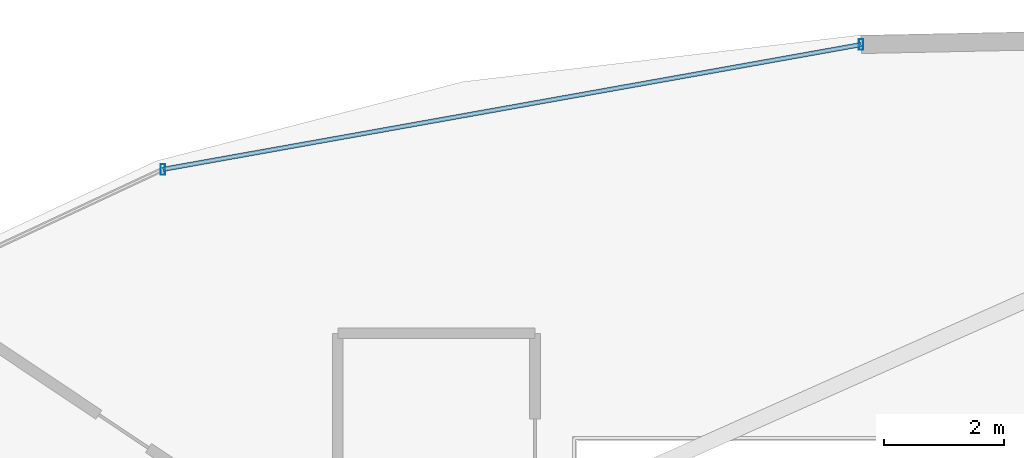
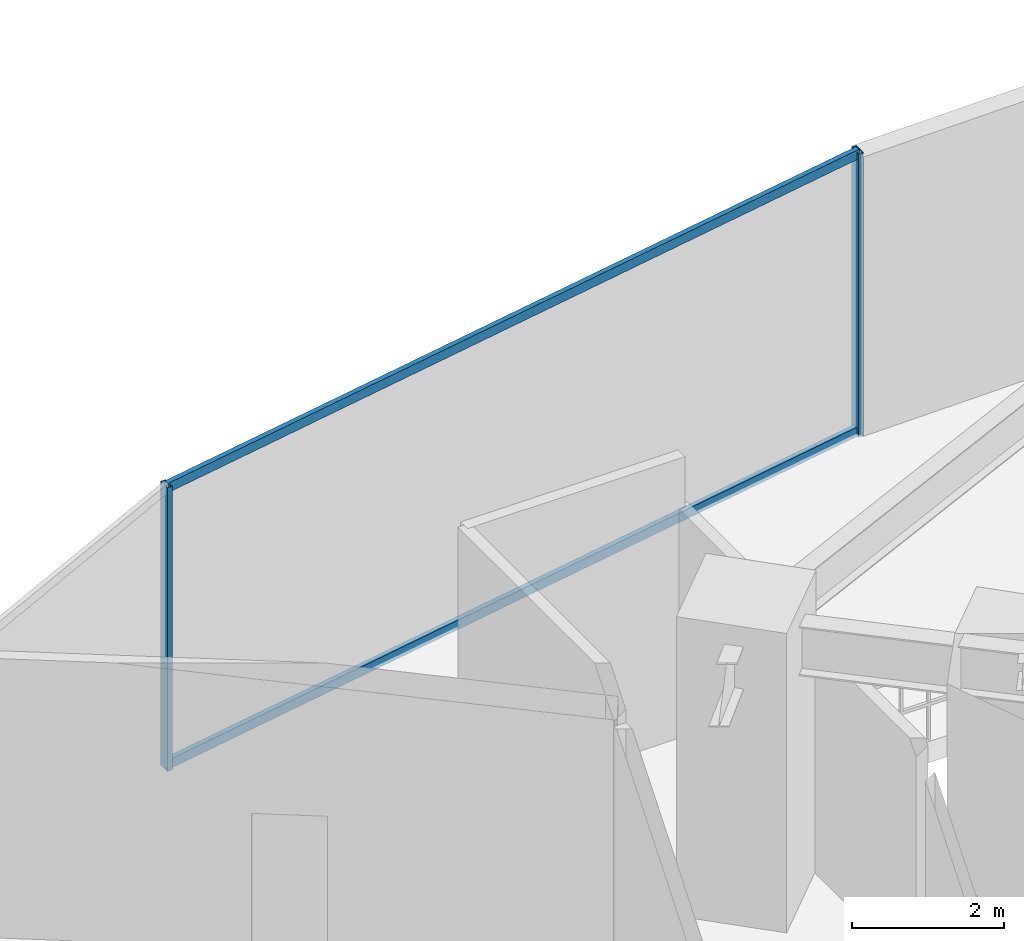
# One storey, part 18 of 36: 4 members, 1 element without a shape of its own.
"""IFC4 building model written with IfcOpenShell, lengths in metres."""

from ifc_helpers import new_model, si_unit, direction, frame, origin, origin_2d, place, context, subcontext, project, spatial, hollow_rectangle, extrude, material, material_profile, profile_set, type_object, element, aggregate, save


model = new_model("IFC4")

# Units and contexts
model_context = context("Model", 3, precision=1e-05, world=origin(), true_north=direction((0.0, 1.0)))
body_context = subcontext(model_context, "Body", "Model", "MODEL_VIEW")
ifc_project = project(units=[si_unit("LENGTHUNIT", "METRE"), si_unit("AREAUNIT", "SQUARE_METRE"), si_unit("VOLUMEUNIT", "CUBIC_METRE"), si_unit("PLANEANGLEUNIT", "RADIAN"), si_unit("MASSUNIT", "GRAM", prefix="KILO")], contexts=[model_context])

# Site, building, storey
site_placement = place(None, origin())
site = spatial("IfcSite", under=ifc_project, at=site_placement, CompositionType="ELEMENT")
building_placement = place(site_placement, origin())
building = spatial("IfcBuilding", under=site, at=building_placement, Name="Vorneva Point Tower", CompositionType="ELEMENT")
storey_placement = place(building_placement, origin())
storey = spatial("IfcBuildingStorey", under=building, at=storey_placement, Name="L00", CompositionType="ELEMENT", Elevation=0.0)

# Curtain wall, members
ifc_material = material(Name="Pale anodised aluminium", Category="aluminium")
curtain_wall_type = type_object("IfcCurtainWallType", Name="CW-POD-SYS", PredefinedType="NOTDEFINED", material=ifc_material)
curtain_wall_placement = place(storey_placement, origin())
curtain_wall = element("IfcCurtainWall", 1, at=curtain_wall_placement, inside=storey, type_object=curtain_wall_type, Name="L00 Unitised Curtain Wall CW-L00-R03", PredefinedType="NOTDEFINED")
ifc_material_profile_1 = material_profile(ifc_material, hollow_rectangle(XDim=0.074951171875, YDim=0.179931640625, WallThickness=0.00390625, at=origin_2d()), Name="AL-MUL 180x75x4")
ifc_profile_set_1 = profile_set([ifc_material_profile_1], Name="Pale anodised aluminium")
member_type_1 = type_object("IfcMemberType", Name="CW-MUL-180", PredefinedType="MULLION", material=ifc_profile_set_1)
member_1_placement = place(storey_placement, frame((25.5576171875, 49.031494140625, -0.0400390625), z_axis=(0.0, 0.0, 1.0), x_axis=(1.0, 0.0, 0.0)))
member_1 = element("IfcMember", 2, at=member_1_placement, type_object=member_type_1, Name="CW-L00-R03 Mullion 01", PredefinedType="MULLION", context=body_context, shape_type="SweptSolid", body=[
    extrude(hollow_rectangle(XDim=0.074951171875, YDim=0.179931640625, WallThickness=0.00390625, at=origin_2d()), origin(), (0.0, 0.0, 1.0), 4.550048828125),
])
member_2_placement = place(storey_placement, frame((13.871826171875, 46.943603515625, -0.0400390625), z_axis=(0.0, 0.0, 1.0), x_axis=(1.0, 0.0, 0.0)))
member_2 = element("IfcMember", 3, at=member_2_placement, type_object=member_type_1, Name="CW-L00-R03 Mullion 02", PredefinedType="MULLION", context=body_context, shape_type="SweptSolid", body=[
    extrude(hollow_rectangle(XDim=0.074951171875, YDim=0.179931640625, WallThickness=0.00390625, at=origin_2d()), origin(), (0.0, 0.0, 1.0), 4.550048828125),
])
ifc_material_profile_2 = material_profile(ifc_material, hollow_rectangle(XDim=0.074951171875, YDim=0.14990234375, WallThickness=0.00390625, at=origin_2d()), Name="AL-TRN 150x75x4")
ifc_profile_set_2 = profile_set([ifc_material_profile_2], Name="Pale anodised aluminium")
member_type_2 = type_object("IfcMemberType", Name="CW-TRN-150", PredefinedType="USERDEFINED", material=ifc_profile_set_2)
member_3_placement = place(storey_placement, frame((25.5576171875, 49.031494140625, 0.02001953125), z_axis=(-0.984410919677, -0.175883885617, 0.0), x_axis=(0.175883885617, -0.984410919677, 0.0)))
member_3 = element("IfcMember", 4, at=member_3_placement, type_object=member_type_2, Name="CW-L00-R03 Transom 01.1", ObjectType="TRANSOM", PredefinedType="USERDEFINED", context=body_context, shape_type="SweptSolid", body=[
    extrude(hollow_rectangle(XDim=0.074951171875, YDim=0.14990234375, WallThickness=0.00390625, at=origin_2d()), origin(), (0.0, 0.0, 1.0), 11.870849609375),
])
member_4_placement = place(storey_placement, frame((25.5576171875, 49.031494140625, 4.4599609375), z_axis=(-0.984410919677, -0.175883885617, 0.0), x_axis=(0.175883885617, -0.984410919677, 0.0)))
member_4 = element("IfcMember", 5, at=member_4_placement, type_object=member_type_2, Name="CW-L00-R03 Transom 01.2", ObjectType="TRANSOM", PredefinedType="USERDEFINED", context=body_context, shape_type="SweptSolid", body=[
    extrude(hollow_rectangle(XDim=0.074951171875, YDim=0.14990234375, WallThickness=0.00390625, at=origin_2d()), origin(), (0.0, 0.0, 1.0), 11.870849609375),
])
aggregate(curtain_wall, [member_1, member_2, member_3, member_4])

save(model, "model.ifc")
